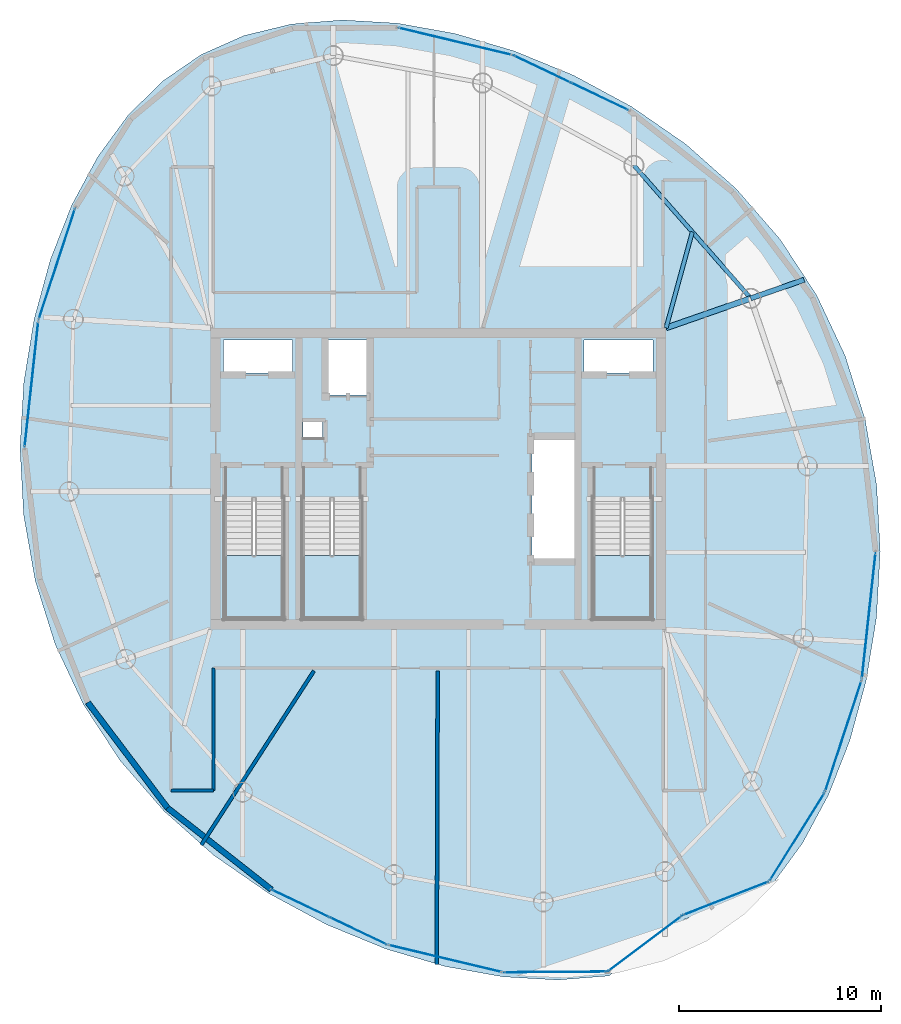
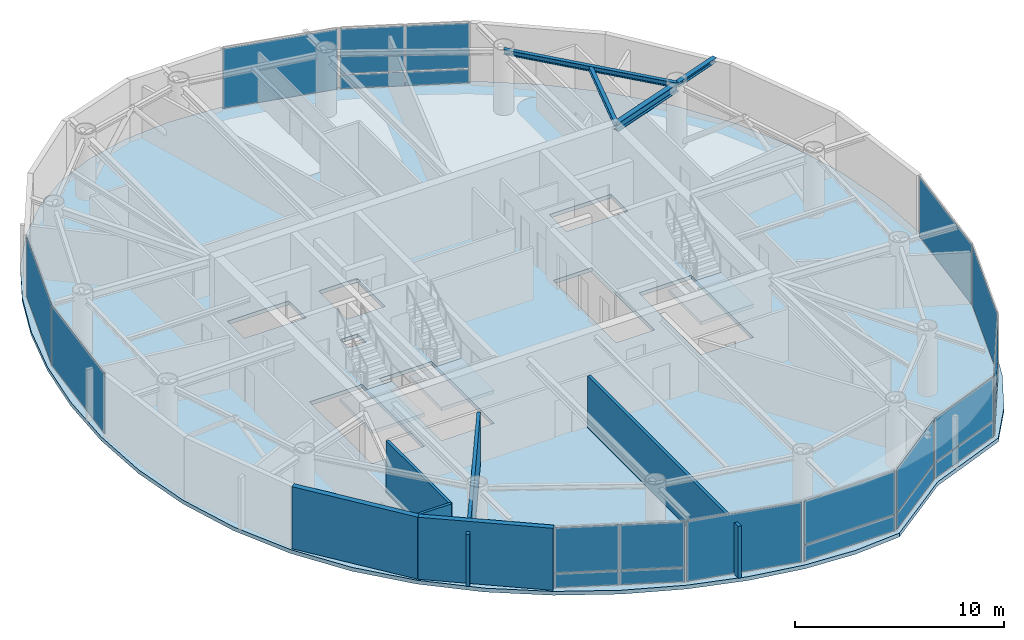
# One storey, part 14 of 20: 22 plates, 6 walls, 4 beams, 4 slabs, 15 elements without a shape of their own.
"""IFC4 building model written with IfcOpenShell, lengths in metres."""

from ifc_helpers import new_model, si_unit, direction, frame, frame_2d, origin, origin_2d, place, context, subcontext, project, spatial, polyline, rectangle, i_section, outline, extrude, material, layer, layer_set, material_profile, profile_set, type_object, element, aggregate, save


model = new_model("IFC4")

# Units and contexts
model_context = context("Model", 3, precision=1e-05, world=origin(), true_north=direction((0.0, 1.0)))
body_context = subcontext(model_context, "Body", "Model", "MODEL_VIEW")
ifc_project = project(units=[si_unit("LENGTHUNIT", "METRE"), si_unit("AREAUNIT", "SQUARE_METRE"), si_unit("VOLUMEUNIT", "CUBIC_METRE"), si_unit("PLANEANGLEUNIT", "RADIAN"), si_unit("MASSUNIT", "GRAM", prefix="KILO")], contexts=[model_context])

# Site, building, storey
site_placement = place(None, origin())
site = spatial("IfcSite", under=ifc_project, at=site_placement, CompositionType="ELEMENT")
building_placement = place(site_placement, origin())
building = spatial("IfcBuilding", under=site, at=building_placement, Name="Bramvorn Convention Spire", CompositionType="ELEMENT")
storey_placement = place(building_placement, frame((0.0, 0.0, 276.699951171875)))
storey = spatial("IfcBuildingStorey", under=building, at=storey_placement, Name="L70", CompositionType="ELEMENT", Elevation=276.699951171875)

# Beams
ifc_material_1 = material(Name="Steel CSA G40.21 Grade 350 (350W)", Category="steel")
ifc_material_profile_1 = material_profile(ifc_material_1, i_section(OverallWidth=0.201904296875, OverallDepth=0.2470703125, WebThickness=0.00732421875, FlangeThickness=0.010986328125, FilletRadius=0.011962890625, at=origin_2d()))
ifc_profile_set_1 = profile_set([ifc_material_profile_1], Name="Steel CSA G40.21 Grade 350 (350W) - W250X49")
beam_type_1 = type_object("IfcBeamType", Name="BM-W250X49", PredefinedType="JOIST", material=ifc_profile_set_1)
beam_1_placement = place(storey_placement, frame((49.25, 33.449951171875, 3.50146484375), z_axis=(0.26386506219, 0.96455960363, 0.0), x_axis=(-0.96455960363, 0.26386506219, 0.0)))
element("IfcBeam", 1, at=beam_1_placement, inside=storey, type_object=beam_type_1, Name="L70 composite floor joist 05", PredefinedType="JOIST", context=body_context, shape_type="SweptSolid", body=[
    extrude(i_section(OverallWidth=0.201904296875, OverallDepth=0.2470703125, WebThickness=0.00732421875, FlangeThickness=0.010986328125, FilletRadius=0.011962890625, at=origin_2d()), origin(), (0.0, 0.0, 1.0), 4.917724609375),
])
ifc_material_profile_2 = material_profile(ifc_material_1, i_section(OverallWidth=0.25390625, OverallDepth=0.2529296875, WebThickness=0.008544921875, FlangeThickness=0.01416015625, FilletRadius=0.011962890625, at=origin_2d()))
ifc_profile_set_2 = profile_set([ifc_material_profile_2], Name="Steel CSA G40.21 Grade 350 (350W) - W250X73")
beam_type_2 = type_object("IfcBeamType", Name="BM-W250X73", PredefinedType="BEAM", material=ifc_profile_set_2)
beam_2_placement = place(storey_placement, frame((53.4326171875, 34.909912109375, 3.49853515625), z_axis=(0.944122892473, 0.329593634508, 0.0), x_axis=(-0.329593634508, 0.944122892473, 0.0)))
element("IfcBeam", 2, at=beam_2_placement, inside=storey, type_object=beam_type_2, Name="L70 slab-edge cantilever tip beam MC05", PredefinedType="BEAM", context=body_context, shape_type="SweptSolid", body=[
    extrude(i_section(OverallWidth=0.25390625, OverallDepth=0.2529296875, WebThickness=0.008544921875, FlangeThickness=0.01416015625, FilletRadius=0.011962890625, at=origin_2d()), origin(), (0.0, 0.0, 1.0), 2.7880859375),
])
ifc_material_profile_3 = material_profile(ifc_material_1, i_section(OverallWidth=0.202880859375, OverallDepth=0.302978515625, WebThickness=0.007568359375, FlangeThickness=0.01318359375, FilletRadius=0.013916015625, at=origin_2d()))
ifc_profile_set_3 = profile_set([ifc_material_profile_3], Name="Steel CSA G40.21 Grade 350 (350W) - W310X60")
beam_type_3 = type_object("IfcBeamType", Name="BM-W310X60", PredefinedType="JOIST", material=ifc_profile_set_3)
beam_3_placement = place(storey_placement, frame((53.4326171875, 34.909912109375, 3.4736328125), z_axis=(-0.660073062339, 0.751201405999, 0.0), x_axis=(-0.751201405999, -0.660073062339, 0.0)))
element("IfcBeam", 3, at=beam_3_placement, inside=storey, type_object=beam_type_3, Name="L70 mega-column ring beam 05", PredefinedType="JOIST", context=body_context, shape_type="SweptSolid", body=[
    extrude(i_section(OverallWidth=0.202880859375, OverallDepth=0.302978515625, WebThickness=0.007568359375, FlangeThickness=0.01318359375, FilletRadius=0.013916015625, at=origin_2d()), origin(), (0.0, 0.0, 1.0), 8.741943359375),
])
ifc_material_profile_4 = material_profile(ifc_material_1, i_section(OverallWidth=0.283935546875, OverallDepth=0.47607421875, WebThickness=0.014892578125, FlangeThickness=0.02392578125, FilletRadius=0.01806640625, at=origin_2d()))
ifc_profile_set_4 = profile_set([ifc_material_profile_4], Name="Steel CSA G40.21 Grade 350 (350W) - W460X158")
beam_type_4 = type_object("IfcBeamType", Name="BM-W460X158", PredefinedType="SPANDREL", material=ifc_profile_set_4)
beam_4_placement = place(storey_placement, frame((49.25, 33.449951171875, 3.386962890625), z_axis=(0.944136391877, 0.329554962843, 0.0), x_axis=(-0.329554962843, 0.944136391877, 0.0)))
element("IfcBeam", 4, at=beam_4_placement, inside=storey, type_object=beam_type_4, Name="L70 radial floor girder MC05", PredefinedType="SPANDREL", context=body_context, shape_type="SweptSolid", body=[
    extrude(i_section(OverallWidth=0.283935546875, OverallDepth=0.47607421875, WebThickness=0.014892578125, FlangeThickness=0.02392578125, FilletRadius=0.01806640625, at=origin_2d()), origin(), (0.0, 0.0, 1.0), 4.43017578125),
])

# Curtain wall, plate
ifc_material_2 = material(Name="Anodised Bronze Unitised Curtain Wall", Category="aluminium")
ifc_layer_1 = layer(ifc_material_2, 0.179931640625)
ifc_layer_set_1 = layer_set([ifc_layer_1], Name="Anodised Bronze Unitised Curtain Wall - CW-OFF-FRIT")
curtain_wall_type_1 = type_object("IfcCurtainWallType", Name="CW-OFF-FRIT", PredefinedType="USERDEFINED", material=ifc_layer_set_1)
curtain_wall_1_placement = place(storey_placement, origin())
curtain_wall_1 = element("IfcCurtainWall", 5, at=curtain_wall_1_placement, inside=storey, type_object=curtain_wall_type_1, Name="L70 fritted glass curtain wall 03", ObjectType="UNITISED CURTAIN WALL", PredefinedType="USERDEFINED")
ifc_material_3 = material(Name="Laminated Low-E Glass (Triple IGU High-VLT Low-Iron 22%)", Category="glass")
ifc_layer_2 = layer(ifc_material_3, 0.0419921875)
ifc_layer_set_2 = layer_set([ifc_layer_2], Name="Laminated Low-E Glass (Triple IGU High-VLT Low-Iron 22%) - PNL-IGU-4")
plate_type_1 = type_object("IfcPlateType", Name="PNL-IGU-4", PredefinedType="CURTAIN_PANEL", material=ifc_layer_set_2)
plate_1_placement = place(storey_placement, frame((58.005126953125, 13.297119140625, 0.06005859375), z_axis=(0.0, 0.0, 1.0), x_axis=(-0.311606240536, -0.950211319054, 0.0)))
plate_1 = element("IfcPlate", 6, at=plate_1_placement, type_object=plate_type_1, Name="CW3 panel 1.1", PredefinedType="CURTAIN_PANEL", context=body_context, shape_type="SweptSolid", body=[
    extrude(rectangle(XDim=5.739990234375, YDim=0.028076171875, at=origin_2d()), origin(), (0.0, 0.0, 1.0), 3.5048828125),
])
aggregate(curtain_wall_1, [plate_1])

curtain_wall_2_placement = place(storey_placement, origin())
curtain_wall_2 = element("IfcCurtainWall", 7, at=curtain_wall_2_placement, inside=storey, type_object=curtain_wall_type_1, Name="L70 fritted glass curtain wall 04", ObjectType="UNITISED CURTAIN WALL", PredefinedType="USERDEFINED")
plate_2_placement = place(storey_placement, frame((59.259521484375, 19.2353515625, 0.06005859375), z_axis=(0.0, 0.0, 1.0), x_axis=(-0.107639302901, -0.994190012257, 0.0)))
plate_2 = element("IfcPlate", 8, at=plate_2_placement, type_object=plate_type_1, Name="CW3 panel 1.1", PredefinedType="CURTAIN_PANEL", context=body_context, shape_type="SweptSolid", body=[
    extrude(rectangle(XDim=6.225341796875, YDim=0.028076171875, at=origin_2d()), origin(), (0.0, 0.0, 1.0), 3.5048828125),
])
aggregate(curtain_wall_2, [plate_2])

# Curtain wall, plates
curtain_wall_3_placement = place(storey_placement, origin())
curtain_wall_3 = element("IfcCurtainWall", 9, at=curtain_wall_3_placement, inside=storey, type_object=curtain_wall_type_1, Name="L70 fritted glass curtain wall 09", ObjectType="UNITISED CURTAIN WALL", PredefinedType="USERDEFINED")
plate_3_placement = place(storey_placement, frame((43.1298828125, 46.2314453125, 0.06005859375), z_axis=(0.0, 0.0, 1.0), x_axis=(0.90317838077, -0.429265433629, 0.0)))
plate_3 = element("IfcPlate", 10, at=plate_3_placement, type_object=plate_type_1, Name="CW3 panel 1.1", PredefinedType="CURTAIN_PANEL", context=body_context, shape_type="SweptSolid", body=[
    extrude(rectangle(XDim=3.08251953125, YDim=0.028076171875, at=origin_2d()), origin(), (0.0, 0.0, 1.0), 0.81005859375),
])
plate_4_placement = place(storey_placement, frame((43.1298828125, 46.2314453125, 0.93017578125), z_axis=(0.0, 0.0, 1.0), x_axis=(0.90317838077, -0.429265433629, 0.0)))
plate_4 = element("IfcPlate", 11, at=plate_4_placement, type_object=plate_type_1, Name="CW3 panel 1.2", PredefinedType="CURTAIN_PANEL", context=body_context, shape_type="SweptSolid", body=[
    extrude(rectangle(XDim=3.08251953125, YDim=0.028076171875, at=origin_2d()), origin(), (0.0, 0.0, 1.0), 2.635009765625),
])
plate_5_placement = place(storey_placement, frame((45.968017578125, 44.882568359375, 0.06005859375), z_axis=(0.0, 0.0, 1.0), x_axis=(0.90317838077, -0.429265433629, 0.0)))
plate_5 = element("IfcPlate", 12, at=plate_5_placement, type_object=plate_type_1, Name="CW3 panel 2.1", PredefinedType="CURTAIN_PANEL", context=body_context, shape_type="SweptSolid", body=[
    extrude(rectangle(XDim=3.08251953125, YDim=0.028076171875, at=origin_2d()), origin(), (0.0, 0.0, 1.0), 0.81005859375),
])
plate_6_placement = place(storey_placement, frame((45.968017578125, 44.882568359375, 0.93017578125), z_axis=(0.0, 0.0, 1.0), x_axis=(0.90317838077, -0.429265433629, 0.0)))
plate_6 = element("IfcPlate", 13, at=plate_6_placement, type_object=plate_type_1, Name="CW3 panel 2.2", PredefinedType="CURTAIN_PANEL", context=body_context, shape_type="SweptSolid", body=[
    extrude(rectangle(XDim=3.08251953125, YDim=0.028076171875, at=origin_2d()), origin(), (0.0, 0.0, 1.0), 2.635009765625),
])
aggregate(curtain_wall_3, [plate_3, plate_4, plate_5, plate_6])

# Curtain wall, plate
curtain_wall_4_placement = place(storey_placement, origin())
curtain_wall_4 = element("IfcCurtainWall", 14, at=curtain_wall_4_placement, inside=storey, type_object=curtain_wall_type_1, Name="L70 fritted glass curtain wall 10", ObjectType="UNITISED CURTAIN WALL", PredefinedType="USERDEFINED")
plate_7_placement = place(storey_placement, frame((38.833740234375, 47.60009765625, 0.06005859375), z_axis=(0.0, 0.0, 1.0), x_axis=(0.972598188375, -0.232492503039, 0.0)))
plate_7 = element("IfcPlate", 15, at=plate_7_placement, type_object=plate_type_1, Name="CW3 panel 1.1", PredefinedType="CURTAIN_PANEL", context=body_context, shape_type="SweptSolid", body=[
    extrude(rectangle(XDim=5.739990234375, YDim=0.028076171875, at=origin_2d()), origin(), (0.0, 0.0, 1.0), 3.5048828125),
])
aggregate(curtain_wall_4, [plate_7])

curtain_wall_5_placement = place(storey_placement, origin())
curtain_wall_5 = element("IfcCurtainWall", 16, at=curtain_wall_5_placement, inside=storey, type_object=curtain_wall_type_1, Name="L70 fritted glass curtain wall 15", ObjectType="UNITISED CURTAIN WALL", PredefinedType="USERDEFINED")
plate_8_placement = place(storey_placement, frame((19.165771484375, 36.60791015625, 0.06005859375), z_axis=(0.0, 0.0, 1.0), x_axis=(0.311606240536, 0.950211319054, 0.0)))
plate_8 = element("IfcPlate", 17, at=plate_8_placement, type_object=plate_type_1, Name="CW3 panel 1.1", PredefinedType="CURTAIN_PANEL", context=body_context, shape_type="SweptSolid", body=[
    extrude(rectangle(XDim=5.739990234375, YDim=0.028076171875, at=origin_2d()), origin(), (0.0, 0.0, 1.0), 3.5048828125),
])
aggregate(curtain_wall_5, [plate_8])

curtain_wall_6_placement = place(storey_placement, origin())
curtain_wall_6 = element("IfcCurtainWall", 18, at=curtain_wall_6_placement, inside=storey, type_object=curtain_wall_type_1, Name="L70 fritted glass curtain wall 16", ObjectType="UNITISED CURTAIN WALL", PredefinedType="USERDEFINED")
plate_9_placement = place(storey_placement, frame((17.9111328125, 30.669677734375, 0.06005859375), z_axis=(0.0, 0.0, 1.0), x_axis=(0.107623725664, 0.994191698655, 0.0)))
plate_9 = element("IfcPlate", 19, at=plate_9_placement, type_object=plate_type_1, Name="CW3 panel 1.1", PredefinedType="CURTAIN_PANEL", context=body_context, shape_type="SweptSolid", body=[
    extrude(rectangle(XDim=6.225341796875, YDim=0.028076171875, at=origin_2d()), origin(), (0.0, 0.0, 1.0), 3.5048828125),
])
aggregate(curtain_wall_6, [plate_9])

# Curtain wall, plates
curtain_wall_7_placement = place(storey_placement, origin())
curtain_wall_7 = element("IfcCurtainWall", 20, at=curtain_wall_7_placement, inside=storey, type_object=curtain_wall_type_1, Name="L70 fritted glass curtain wall 21", ObjectType="UNITISED CURTAIN WALL", PredefinedType="USERDEFINED")
plate_10_placement = place(storey_placement, frame((34.041015625, 3.673583984375, 0.06005859375), z_axis=(0.0, 0.0, 1.0), x_axis=(-0.90317838077, 0.429265433629, 0.0)))
plate_10 = element("IfcPlate", 21, at=plate_10_placement, type_object=plate_type_1, Name="CW3 panel 1.1", PredefinedType="CURTAIN_PANEL", context=body_context, shape_type="SweptSolid", body=[
    extrude(rectangle(XDim=3.08251953125, YDim=0.028076171875, at=origin_2d()), origin(), (0.0, 0.0, 1.0), 0.81005859375),
])
plate_11_placement = place(storey_placement, frame((34.041015625, 3.673583984375, 0.93017578125), z_axis=(0.0, 0.0, 1.0), x_axis=(-0.90317838077, 0.429265433629, 0.0)))
plate_11 = element("IfcPlate", 22, at=plate_11_placement, type_object=plate_type_1, Name="CW3 panel 1.2", PredefinedType="CURTAIN_PANEL", context=body_context, shape_type="SweptSolid", body=[
    extrude(rectangle(XDim=3.08251953125, YDim=0.028076171875, at=origin_2d()), origin(), (0.0, 0.0, 1.0), 2.635009765625),
])
plate_12_placement = place(storey_placement, frame((31.202880859375, 5.0224609375, 0.06005859375), z_axis=(0.0, 0.0, 1.0), x_axis=(-0.90317838077, 0.429265433629, 0.0)))
plate_12 = element("IfcPlate", 23, at=plate_12_placement, type_object=plate_type_1, Name="CW3 panel 2.1", PredefinedType="CURTAIN_PANEL", context=body_context, shape_type="SweptSolid", body=[
    extrude(rectangle(XDim=3.08251953125, YDim=0.028076171875, at=origin_2d()), origin(), (0.0, 0.0, 1.0), 0.81005859375),
])
plate_13_placement = place(storey_placement, frame((31.202880859375, 5.0224609375, 0.93017578125), z_axis=(0.0, 0.0, 1.0), x_axis=(-0.90317838077, 0.429265433629, 0.0)))
plate_13 = element("IfcPlate", 24, at=plate_13_placement, type_object=plate_type_1, Name="CW3 panel 2.2", PredefinedType="CURTAIN_PANEL", context=body_context, shape_type="SweptSolid", body=[
    extrude(rectangle(XDim=3.08251953125, YDim=0.028076171875, at=origin_2d()), origin(), (0.0, 0.0, 1.0), 2.635009765625),
])
aggregate(curtain_wall_7, [plate_10, plate_11, plate_12, plate_13])

# Curtain wall, plate
curtain_wall_8_placement = place(storey_placement, origin())
curtain_wall_8 = element("IfcCurtainWall", 25, at=curtain_wall_8_placement, inside=storey, type_object=curtain_wall_type_1, Name="L70 fritted glass curtain wall 22", ObjectType="UNITISED CURTAIN WALL", PredefinedType="USERDEFINED")
plate_14_placement = place(storey_placement, frame((38.337158203125, 2.304931640625, 0.06005859375), z_axis=(0.0, 0.0, 1.0), x_axis=(-0.972598188375, 0.232492503039, 0.0)))
plate_14 = element("IfcPlate", 26, at=plate_14_placement, type_object=plate_type_1, Name="CW3 panel 1.1", PredefinedType="CURTAIN_PANEL", context=body_context, shape_type="SweptSolid", body=[
    extrude(rectangle(XDim=5.739990234375, YDim=0.028076171875, at=origin_2d()), origin(), (0.0, 0.0, 1.0), 3.5048828125),
])
aggregate(curtain_wall_8, [plate_14])

# Curtain wall, plates
ifc_layer_3 = layer(ifc_material_2, 0.219970703125)
ifc_layer_set_3 = layer_set([ifc_layer_3], Name="Anodised Bronze Unitised Curtain Wall - CW-SKYGARDEN")
curtain_wall_type_2 = type_object("IfcCurtainWallType", Name="CW-SKYGARDEN", PredefinedType="USERDEFINED", material=ifc_layer_set_3)
curtain_wall_9_placement = place(storey_placement, origin())
curtain_wall_9 = element("IfcCurtainWall", 27, at=curtain_wall_9_placement, inside=storey, type_object=curtain_wall_type_2, Name="L70 Sky Garden glazed facade 01", ObjectType="WINTER GARDEN GLAZING", PredefinedType="USERDEFINED")
ifc_material_4 = material(Name="Laminated Low-E Glass (Acoustic Laminated Podium Triple IGU)", Category="glass")
ifc_layer_4 = layer(ifc_material_4, 0.0458984375)
ifc_layer_set_4 = layer_set([ifc_layer_4], Name="Laminated Low-E Glass (Acoustic Laminated Podium Triple IGU) - PNL-IGU-5")
plate_type_2 = type_object("IfcPlateType", Name="PNL-IGU-5", PredefinedType="CURTAIN_PANEL", material=ifc_layer_set_4)
plate_15_placement = place(storey_placement, frame((52.19970703125, 5.278564453125, 0.06005859375), z_axis=(0.0, 0.0, 1.0), x_axis=(-0.931057223957, -0.364873191283, 0.0)))
plate_15 = element("IfcPlate", 28, at=plate_15_placement, type_object=plate_type_2, Name="CW4 panel 1.1", PredefinedType="CURTAIN_PANEL", context=body_context, shape_type="SweptSolid", body=[
    extrude(rectangle(XDim=4.494873046875, YDim=0.028076171875, at=origin_2d()), origin(), (0.0, 0.0, 1.0), 0.909912109375),
])
plate_16_placement = place(storey_placement, frame((52.19970703125, 5.278564453125, 1.0302734375), z_axis=(0.0, 0.0, 1.0), x_axis=(-0.931057223957, -0.364873191283, 0.0)))
plate_16 = element("IfcPlate", 29, at=plate_16_placement, type_object=plate_type_2, Name="CW4 panel 1.2", PredefinedType="CURTAIN_PANEL", context=body_context, shape_type="SweptSolid", body=[
    extrude(rectangle(XDim=4.494873046875, YDim=0.028076171875, at=origin_2d()), origin(), (0.0, 0.0, 1.0), 2.534912109375),
])
aggregate(curtain_wall_9, [plate_15, plate_16])

curtain_wall_10_placement = place(storey_placement, origin())
curtain_wall_10 = element("IfcCurtainWall", 30, at=curtain_wall_10_placement, inside=storey, type_object=curtain_wall_type_2, Name="L70 Sky Garden glazed facade 02", ObjectType="WINTER GARDEN GLAZING", PredefinedType="USERDEFINED")
plate_17_placement = place(storey_placement, frame((55.719970703125, 8.316650390625, 0.06005859375), z_axis=(0.0, 0.0, 1.0), x_axis=(-0.529830581238, -0.848103504995, 0.0)))
plate_17 = element("IfcPlate", 31, at=plate_17_placement, type_object=plate_type_2, Name="CW4 panel 1.1", PredefinedType="CURTAIN_PANEL", context=body_context, shape_type="SweptSolid", body=[
    extrude(rectangle(XDim=5.05908203125, YDim=0.028076171875, at=origin_2d()), origin(), (0.0, 0.0, 1.0), 0.909912109375),
])
plate_18_placement = place(storey_placement, frame((55.719970703125, 8.316650390625, 1.0302734375), z_axis=(0.0, 0.0, 1.0), x_axis=(-0.529830581238, -0.848103504995, 0.0)))
plate_18 = element("IfcPlate", 32, at=plate_18_placement, type_object=plate_type_2, Name="CW4 panel 1.2", PredefinedType="CURTAIN_PANEL", context=body_context, shape_type="SweptSolid", body=[
    extrude(rectangle(XDim=5.05908203125, YDim=0.028076171875, at=origin_2d()), origin(), (0.0, 0.0, 1.0), 2.534912109375),
])
aggregate(curtain_wall_10, [plate_17, plate_18])

curtain_wall_11_placement = place(storey_placement, origin())
curtain_wall_11 = element("IfcCurtainWall", 33, at=curtain_wall_11_placement, inside=storey, type_object=curtain_wall_type_2, Name="L70 Sky Garden glazed facade 23", ObjectType="WINTER GARDEN GLAZING", PredefinedType="USERDEFINED")
plate_19_placement = place(storey_placement, frame((43.7763671875, 1.6416015625, 0.06005859375), z_axis=(0.0, 0.0, 1.0), x_axis=(-0.999976243505, -0.006892925777, 0.0)))
plate_19 = element("IfcPlate", 34, at=plate_19_placement, type_object=plate_type_2, Name="CW4 panel 1.1", PredefinedType="CURTAIN_PANEL", context=body_context, shape_type="SweptSolid", body=[
    extrude(rectangle(XDim=5.059326171875, YDim=0.028076171875, at=origin_2d()), origin(), (0.0, 0.0, 1.0), 0.909912109375),
])
plate_20_placement = place(storey_placement, frame((43.7763671875, 1.6416015625, 1.0302734375), z_axis=(0.0, 0.0, 1.0), x_axis=(-0.999976243505, -0.006892925777, 0.0)))
plate_20 = element("IfcPlate", 35, at=plate_20_placement, type_object=plate_type_2, Name="CW4 panel 1.2", PredefinedType="CURTAIN_PANEL", context=body_context, shape_type="SweptSolid", body=[
    extrude(rectangle(XDim=5.059326171875, YDim=0.028076171875, at=origin_2d()), origin(), (0.0, 0.0, 1.0), 2.534912109375),
])
aggregate(curtain_wall_11, [plate_19, plate_20])

curtain_wall_12_placement = place(storey_placement, origin())
curtain_wall_12 = element("IfcCurtainWall", 36, at=curtain_wall_12_placement, inside=storey, type_object=curtain_wall_type_2, Name="L70 Sky Garden glazed facade 24", ObjectType="WINTER GARDEN GLAZING", PredefinedType="USERDEFINED")
plate_21_placement = place(storey_placement, frame((48.208740234375, 3.048095703125, 0.06005859375), z_axis=(0.0, 0.0, 1.0), x_axis=(-0.79863795256, -0.601811781814, 0.0)))
plate_21 = element("IfcPlate", 37, at=plate_21_placement, type_object=plate_type_2, Name="CW4 panel 1.1", PredefinedType="CURTAIN_PANEL", context=body_context, shape_type="SweptSolid", body=[
    extrude(rectangle(XDim=4.49462890625, YDim=0.028076171875, at=origin_2d()), origin(), (0.0, 0.0, 1.0), 0.909912109375),
])
plate_22_placement = place(storey_placement, frame((48.208740234375, 3.048095703125, 1.0302734375), z_axis=(0.0, 0.0, 1.0), x_axis=(-0.79863795256, -0.601811781814, 0.0)))
plate_22 = element("IfcPlate", 38, at=plate_22_placement, type_object=plate_type_2, Name="CW4 panel 1.2", PredefinedType="CURTAIN_PANEL", context=body_context, shape_type="SweptSolid", body=[
    extrude(rectangle(XDim=4.49462890625, YDim=0.028076171875, at=origin_2d()), origin(), (0.0, 0.0, 1.0), 2.534912109375),
])
aggregate(curtain_wall_12, [plate_21, plate_22])

# Stair, slab
ifc_material_5 = material(Name="Concrete C40/50 Precast Stair", Category="concrete")
stair_type = type_object("IfcStairType", Name="ST-TOWER-1550", PredefinedType="HALF_TURN_STAIR", material=ifc_material_5)
stair_1_placement = place(storey_placement, origin())
stair_1 = element("IfcStair", 39, at=stair_1_placement, inside=storey, type_object=stair_type, Name="L70 Protected Exit Stair ST1", PredefinedType="HALF_TURN_STAIR")
ifc_material_6 = material(Name="Concrete C40/50 Stair Landing", Category="concrete")
ifc_layer_5 = layer(ifc_material_6, 0.219970703125)
ifc_layer_set_5 = layer_set([ifc_layer_5], Name="Concrete C40/50 Stair Landing - SLB-STAIR-LANDING")
slab_type_1 = type_object("IfcSlabType", Name="SLB-STAIR-LANDING", PredefinedType="LANDING", material=ifc_layer_set_5)
slab_1_placement = place(storey_placement, frame((0.0, 0.0, 1.72509765625)))
slab_1 = element("IfcSlab", 40, at=slab_1_placement, type_object=slab_type_1, Name="ST1 landing 1", PredefinedType="LANDING", context=body_context, shape_type="SweptSolid", body=[
    extrude(outline(polyline([(27.449951171875, 22.199951171875), (27.449951171875, 19.10009765625), (30.35009765625, 19.10009765625), (30.35009765625, 22.199951171875), (27.449951171875, 22.199951171875)])), origin(), (0.0, 0.0, 1.0), 0.199951171875),
])
aggregate(stair_1, [slab_1])

stair_2_placement = place(storey_placement, origin())
stair_2 = element("IfcStair", 41, at=stair_2_placement, inside=storey, type_object=stair_type, Name="L70 Protected Exit Stair ST2", PredefinedType="HALF_TURN_STAIR")
slab_2_placement = place(storey_placement, frame((0.0, 0.0, 1.72509765625)))
slab_2 = element("IfcSlab", 42, at=slab_2_placement, type_object=slab_type_1, Name="ST2 landing 1", PredefinedType="LANDING", context=body_context, shape_type="SweptSolid", body=[
    extrude(outline(polyline([(45.64990234375, 22.199951171875), (45.64990234375, 19.10009765625), (48.550048828125, 19.10009765625), (48.550048828125, 22.199951171875), (45.64990234375, 22.199951171875)])), origin(), (0.0, 0.0, 1.0), 0.199951171875),
])
aggregate(stair_2, [slab_2])

stair_3_placement = place(storey_placement, origin())
stair_3 = element("IfcStair", 43, at=stair_3_placement, inside=storey, type_object=stair_type, Name="L70 Protected Exit Stair ST3", PredefinedType="HALF_TURN_STAIR")
slab_3_placement = place(storey_placement, frame((0.0, 0.0, 1.72509765625)))
slab_3 = element("IfcSlab", 44, at=slab_3_placement, type_object=slab_type_1, Name="ST3 landing 1", PredefinedType="LANDING", context=body_context, shape_type="SweptSolid", body=[
    extrude(outline(polyline([(31.300048828125, 22.199951171875), (31.300048828125, 19.10009765625), (34.199951171875, 19.10009765625), (34.199951171875, 22.199951171875), (31.300048828125, 22.199951171875)])), origin(), (0.0, 0.0, 1.0), 0.199951171875),
])
aggregate(stair_3, [slab_3])

# Slab
ifc_material_7 = material(Name="Concrete C40/50", Category="concrete")
ifc_layer_6 = layer(ifc_material_7, 0.22509765625)
ifc_layer_set_6 = layer_set([ifc_layer_6], Name="Concrete C40/50 - SLB-Z4-225")
slab_type_2 = type_object("IfcSlabType", Name="SLB-Z4-225", PredefinedType="FLOOR", material=ifc_layer_set_6)
slab_4_placement = place(storey_placement, frame((0.0, 0.0, -0.224853515625)))
element("IfcSlab", 45, at=slab_4_placement, inside=storey, type_object=slab_type_2, Name="L70 tower floor slab", PredefinedType="FLOOR", context=body_context, shape_type="SweptSolid", body=[
    extrude(outline(polyline([(50.15966796875, 4.242919921875), (52.248046875, 5.064208984375), (54.497802734375, 5.960693359375), (55.99462890625, 8.010986328125), (57.27734375, 10.398193359375), (58.33056640625, 13.084716796875), (59.1298828125, 16.021240234375), (59.6416015625, 19.146240234375), (59.82763671875, 22.39013671875), (59.650390625, 25.677734375), (59.077880859375, 28.93359375), (58.0908203125, 32.085693359375), (56.686279296875, 35.06884765625), (54.881591796875, 37.828125), (52.714111328125, 40.320556640625), (50.240966796875, 42.51416015625), (47.53369140625, 44.3876953125), (44.67333984375, 45.928955078125), (41.743408203125, 47.130615234375), (38.823486328125, 47.988525390625), (35.9833984375, 48.4990234375), (33.2783203125, 48.657470703125), (30.74755859375, 48.456787109375), (28.4150390625, 47.89013671875), (26.29150390625, 46.9501953125), (24.3779296875, 45.6337890625), (22.673095703125, 43.944091796875), (21.17626953125, 41.893798828125), (19.8935546875, 39.5068359375), (18.840087890625, 36.8203125), (18.041015625, 33.8837890625), (17.529296875, 30.7587890625), (17.343017578125, 27.514892578125), (17.5205078125, 24.227294921875), (18.093017578125, 20.97119140625), (19.080078125, 17.8193359375), (20.484619140625, 14.836181640625), (22.289306640625, 12.076904296875), (24.456787109375, 9.58447265625), (26.929931640625, 7.390869140625), (29.63720703125, 5.51708984375), (32.49755859375, 3.97607421875), (35.427490234375, 2.7744140625), (38.347412109375, 1.91650390625), (41.1875, 1.406005859375), (43.892578125, 1.24755859375), (46.42333984375, 1.447998046875), (48.36572265625, 2.89453125), (50.15966796875, 4.242919921875)]), holes=[polyline([(27.449951171875, 25.050048828125), (27.449951171875, 19.10009765625), (30.35009765625, 19.10009765625), (30.35009765625, 25.050048828125), (27.449951171875, 25.050048828125)]), polyline([(45.64990234375, 25.050048828125), (45.64990234375, 19.10009765625), (48.550048828125, 19.10009765625), (48.550048828125, 25.050048828125), (45.64990234375, 25.050048828125)]), polyline([(31.300048828125, 25.050048828125), (31.300048828125, 19.10009765625), (34.199951171875, 19.10009765625), (34.199951171875, 25.050048828125), (31.300048828125, 25.050048828125)]), polyline([(27.39990234375, 31.219970703125), (30.800048828125, 31.219970703125), (30.800048828125, 32.85009765625), (27.39990234375, 32.85009765625), (27.39990234375, 31.219970703125)]), polyline([(45.199951171875, 31.219970703125), (48.60009765625, 31.219970703125), (48.60009765625, 32.85009765625), (45.199951171875, 32.85009765625), (45.199951171875, 31.219970703125)]), polyline([(32.449951171875, 30.14990234375), (34.56005859375, 30.14990234375), (34.56005859375, 32.85009765625), (32.449951171875, 32.85009765625), (32.449951171875, 30.14990234375)]), polyline([(42.6201171875, 22.0), (44.75, 22.0), (44.75, 28.0), (42.6201171875, 28.0), (42.6201171875, 22.0)]), polyline([(31.320068359375, 28.02001953125), (32.280029296875, 28.02001953125), (32.280029296875, 28.820068359375), (31.320068359375, 28.820068359375), (31.320068359375, 28.02001953125)])]), origin(), (0.0, 0.0, 1.0), 0.224853515625),
])

# Walls
ifc_material_8 = material(Name="Precast Concrete C40/50 with Bronze Terracotta Rainscreen", Category="masonry")
ifc_layer_7 = layer(ifc_material_8, 0.300048828125)
ifc_layer_set_7 = layer_set([ifc_layer_7], Name="Precast Concrete C40/50 with Bronze Terracotta Rainscreen - WL-EXT-BRONZE-300")
wall_type_1 = type_object("IfcWallType", Name="WL-EXT-BRONZE-300", PredefinedType="SOLIDWALL", material=ifc_layer_set_7)
wall_1_placement = place(storey_placement, frame((24.627197265625, 9.7451171875, 0.0), z_axis=(0.0, 0.0, 1.0), x_axis=(-0.602940502757, 0.797786155643, 0.0)))
element("IfcWall", 46, at=wall_1_placement, inside=storey, type_object=wall_type_1, Name="L70 expressed bronze Gothic lancet pier wall 19", PredefinedType="SOLIDWALL", context=body_context, shape_type="SweptSolid", body=[
    extrude(rectangle(XDim=6.52685546875, YDim=0.280029296875, at=frame_2d((3.263427734375, 0.0))), origin(), (0.0, 0.0, 1.0), 3.625),
])
wall_2_placement = place(storey_placement, frame((29.756591796875, 5.7099609375, 0.0), z_axis=(0.0, 0.0, 1.0), x_axis=(-0.785952140544, 0.618287338358, 0.0)))
element("IfcWall", 47, at=wall_2_placement, inside=storey, type_object=wall_type_1, Name="L70 expressed bronze Gothic lancet pier wall 20", PredefinedType="SOLIDWALL", context=body_context, shape_type="SweptSolid", body=[
    extrude(rectangle(XDim=6.5263671875, YDim=0.280029296875, at=frame_2d((3.26318359375, 0.0))), origin(), (0.0, 0.0, 1.0), 3.625),
])
ifc_material_9 = material(Name="Acoustic Metal-Stud Tenant/Corridor Partition", Category="gypsum")
ifc_layer_8 = layer(ifc_material_9, 0.14990234375)
ifc_layer_set_8 = layer_set([ifc_layer_8], Name="Acoustic Metal-Stud Tenant/Corridor Partition - WL-PART-150")
wall_type_2 = type_object("IfcWallType", Name="WL-PART-150", PredefinedType="PARTITIONING", material=ifc_layer_set_8)
wall_3_placement = place(storey_placement, frame((26.89990234375, 10.60009765625, 0.0), z_axis=(0.0, 0.0, 1.0), x_axis=(0.0, 1.0, 0.0)))
element("IfcWall", 48, at=wall_3_placement, inside=storey, type_object=wall_type_2, Name="L70 West gallery SE wall", PredefinedType="PARTITIONING", context=body_context, shape_type="SweptSolid", body=[
    extrude(rectangle(XDim=6.0498046875, YDim=0.14990234375, at=frame_2d((3.02490234375, 0.0))), origin(), (0.0, 0.0, 1.0), 3.0400390625),
])
wall_4_placement = place(storey_placement, frame((24.800048828125, 10.60009765625, 0.0), z_axis=(0.0, 0.0, 1.0), x_axis=(1.0, 0.0, 0.0)))
element("IfcWall", 49, at=wall_4_placement, inside=storey, type_object=wall_type_2, Name="L70 West gallery south end", PredefinedType="PARTITIONING", context=body_context, shape_type="SweptSolid", body=[
    extrude(rectangle(XDim=2.099853515625, YDim=0.14990234375, at=frame_2d((1.0498046875, 0.0))), origin(), (0.0, 0.0, 1.0), 3.0400390625),
])
ifc_material_10 = material(Name="Double-Stud Acoustic Hotel/Suite Partition", Category="gypsum")
ifc_layer_9 = layer(ifc_material_10, 0.175048828125)
ifc_layer_set_9 = layer_set([ifc_layer_9], Name="Double-Stud Acoustic Hotel/Suite Partition - WL-PART-175")
wall_type_3 = type_object("IfcWallType", Name="WL-PART-175", PredefinedType="PARTITIONING", material=ifc_layer_set_9)
wall_5_placement = place(storey_placement, frame((31.8583984375, 16.510009765625, 0.0), z_axis=(0.0, 0.0, 1.0), x_axis=(-0.543304654522, -0.839535617097, 0.0)))
element("IfcWall", 50, at=wall_5_placement, inside=storey, type_object=wall_type_3, Name="L70 Tenant suite partition 8", PredefinedType="PARTITIONING", context=body_context, shape_type="SweptSolid", body=[
    extrude(rectangle(XDim=10.240966796875, YDim=0.175048828125, at=frame_2d((5.12060546875, 0.0))), origin(), (0.0, 0.0, 1.0), 3.0400390625),
])
wall_6_placement = place(storey_placement, frame((37.969970703125, 16.510009765625, 0.0), z_axis=(0.0, 0.0, 1.0), x_axis=(-0.003182230655, -0.999994936691, 0.0)))
element("IfcWall", 51, at=wall_6_placement, inside=storey, type_object=wall_type_3, Name="L70 Tenant suite partition 9", PredefinedType="PARTITIONING", context=body_context, shape_type="SweptSolid", body=[
    extrude(rectangle(XDim=14.5, YDim=0.175048828125, at=frame_2d((7.25, 0.0))), origin(), (0.0, 0.0, 1.0), 3.0400390625),
])

save(model, "model.ifc")
